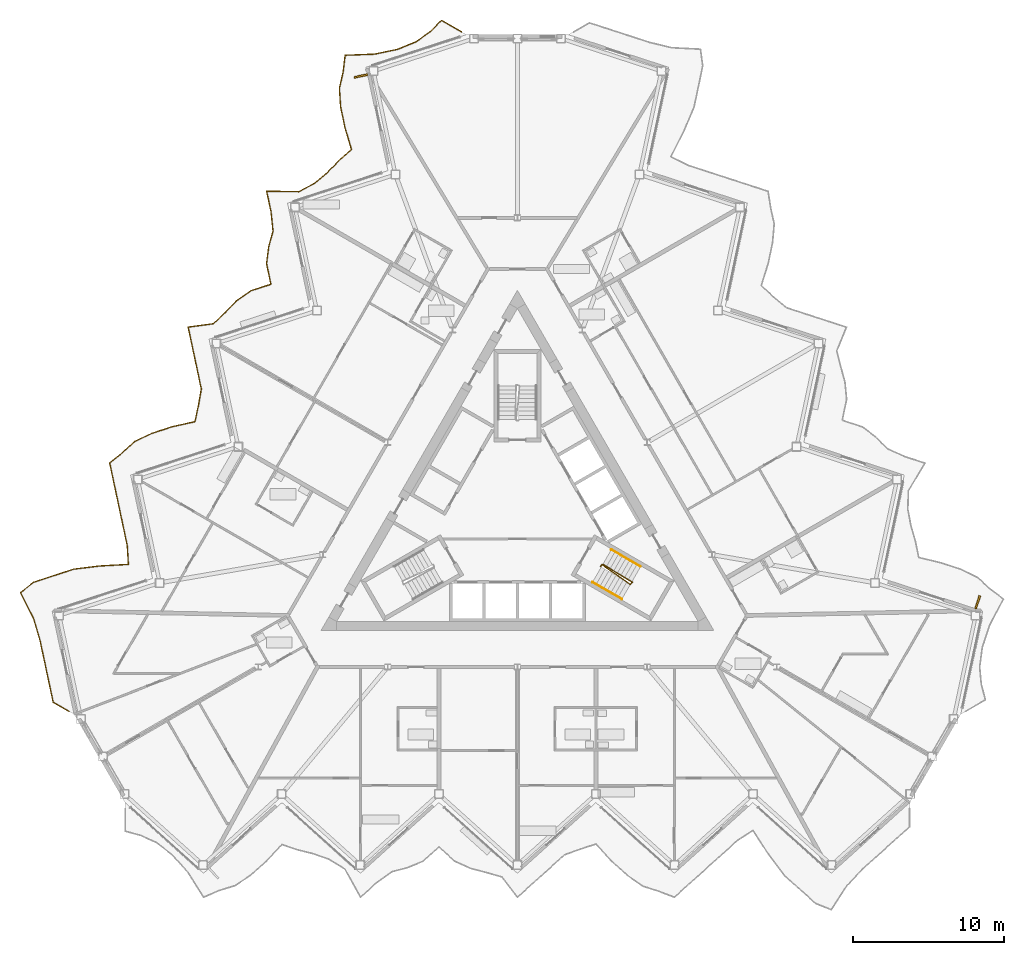
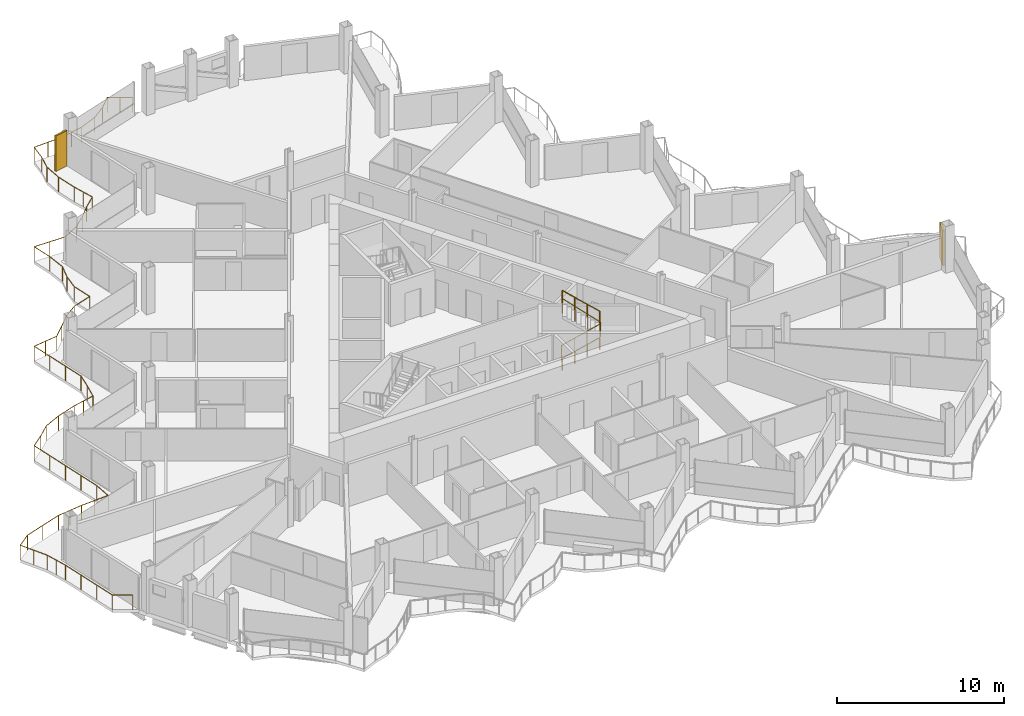
# One storey, part 24 of 27: 4 railings, 2 shading devices.
"""IFC4 building model written with IfcOpenShell, lengths in metres."""

from ifc_helpers import new_model, si_unit, direction, frame, origin, origin_2d, place, context, subcontext, project, spatial, rectangle, circle, extrude, material, layer, layer_set, type_object, element, save


model = new_model("IFC4")

# Units and contexts
model_context = context("Model", 3, precision=1e-05, world=origin(), true_north=direction((0.0, 1.0)))
body_context = subcontext(model_context, "Body", "Model", "MODEL_VIEW")
ifc_project = project(units=[si_unit("LENGTHUNIT", "METRE"), si_unit("AREAUNIT", "SQUARE_METRE"), si_unit("VOLUMEUNIT", "CUBIC_METRE"), si_unit("PLANEANGLEUNIT", "RADIAN"), si_unit("MASSUNIT", "GRAM", prefix="KILO")], contexts=[model_context])

# Site, building, storey
site_placement = place(None, origin())
site = spatial("IfcSite", under=ifc_project, at=site_placement, CompositionType="ELEMENT")
building_placement = place(site_placement, origin())
building = spatial("IfcBuilding", under=site, at=building_placement, Name="Cormorant Prow Tower", CompositionType="ELEMENT")
storey_placement = place(building_placement, frame((0.0, 0.0, 315.39990234375)))
storey = spatial("IfcBuildingStorey", under=building, at=storey_placement, Name="L69", CompositionType="ELEMENT", Elevation=315.39990234375)

# Railings
ifc_material_1 = material(Name="Aluminium 6063-T6", Category="aluminium")
railing_type_1 = type_object("IfcRailingType", Name="Balcony guard 1100", PredefinedType="GUARDRAIL", material=ifc_material_1)
railing_1_placement = place(storey_placement, frame((-3.703369140625, 32.118896484375, 0.0)))
element("IfcRailing", 1, at=railing_1_placement, inside=storey, type_object=railing_type_1, Name="Balcony guard WNW", PredefinedType="GUARDRAIL", context=body_context, shape_type="SweptSolid", body=[
    extrude(circle(Radius=0.02392578125, at=origin_2d()), frame((0.0, 0.0, 1.076171875), z_axis=(-0.865990296034, 0.500060803479, 0.0), x_axis=(-0.500060803479, -0.865990296034, 0.0)), (0.0, 0.0, 1.0), 1.519775390625),
    extrude(circle(Radius=0.02392578125, at=origin_2d()), frame((-1.316162109375, 0.760009765625, 1.076171875), z_axis=(-0.710162172845, -0.704038129834, 0.0), x_axis=(0.704038129834, -0.710162172845, 0.0)), (0.0, 0.0, 1.0), 1.076416015625),
    extrude(circle(Radius=0.02392578125, at=origin_2d()), frame((-2.08056640625, 0.002197265625, 1.076171875), z_axis=(-0.81465682951, -0.579943316311, 0.0), x_axis=(0.579943316311, -0.81465682951, 0.0)), (0.0, 0.0, 1.0), 1.14208984375),
    extrude(circle(Radius=0.02392578125, at=origin_2d()), frame((-3.010986328125, -0.66015625, 1.076171875), z_axis=(-0.92494386987, -0.380103719516, 0.0), x_axis=(0.380103719516, -0.92494386987, 0.0)), (0.0, 0.0, 1.0), 1.3115234375),
    extrude(circle(Radius=0.02392578125, at=origin_2d()), frame((-4.22412109375, -1.15869140625, 1.076171875), z_axis=(-0.9793543677, -0.202150989281, 0.0), x_axis=(0.202150989281, -0.9793543677, 0.0)), (0.0, 0.0, 1.0), 1.562744140625),
    extrude(circle(Radius=0.02392578125, at=origin_2d()), frame((-5.754638671875, -1.474609375, 1.076171875), z_axis=(-0.999265055246, -0.038332093131, 0.0), x_axis=(0.038332093131, -0.999265055246, 0.0)), (0.0, 0.0, 1.0), 1.948974609375),
    extrude(circle(Radius=0.02392578125, at=origin_2d()), frame((-7.7021484375, -1.54931640625, 1.076171875), z_axis=(-0.117041712082, -0.99312699975, 0.0), x_axis=(0.99312699975, -0.117041712082, 0.0)), (0.0, 0.0, 1.0), 1.130615234375),
    extrude(circle(Radius=0.02392578125, at=origin_2d()), frame((-7.83447265625, -2.672119140625, 1.076171875), z_axis=(-0.224301380547, -0.974519825701, 0.0), x_axis=(0.974519825701, -0.224301380547, 0.0)), (0.0, 0.0, 1.0), 1.086181640625),
    extrude(circle(Radius=0.02392578125, at=origin_2d()), frame((-8.078125, -3.730712890625, 1.076171875), z_axis=(0.063036409454, -0.998011227934, 0.0), x_axis=(0.998011227934, 0.063036409454, 0.0)), (0.0, 0.0, 1.0), 1.2470703125),
    extrude(circle(Radius=0.02392578125, at=origin_2d()), frame((-7.99951171875, -4.975341796875, 1.076171875), z_axis=(0.20789427571, -0.978151302267, 0.0), x_axis=(0.978151302267, 0.20789427571, 0.0)), (0.0, 0.0, 1.0), 1.3974609375),
    extrude(circle(Radius=0.02392578125, at=origin_2d()), frame((-7.708984375, -6.34228515625, 1.076171875), z_axis=(0.283244586223, -0.959047707038, 0.0), x_axis=(0.959047707038, 0.283244586223, 0.0)), (0.0, 0.0, 1.0), 1.507568359375),
    extrude(circle(Radius=0.02392578125, at=origin_2d()), frame((-7.281982421875, -7.7880859375, 1.076171875), z_axis=(-0.748932723134, -0.662646041427, 0.0), x_axis=(0.662646041427, -0.748932723134, 0.0)), (0.0, 0.0, 1.0), 1.094970703125),
    extrude(circle(Radius=0.02392578125, at=origin_2d()), frame((-8.10205078125, -8.513671875, 1.076171875), z_axis=(-0.693983566314, -0.719990840002, 0.0), x_axis=(0.719990840002, -0.693983566314, 0.0)), (0.0, 0.0, 1.0), 1.070068359375),
    extrude(circle(Radius=0.02392578125, at=origin_2d()), frame((-8.8447265625, -9.2841796875, 1.076171875), z_axis=(-0.760131936897, -0.64976875772, 0.0), x_axis=(0.64976875772, -0.760131936897, 0.0)), (0.0, 0.0, 1.0), 1.1015625),
    extrude(circle(Radius=0.02392578125, at=origin_2d()), frame((-9.68212890625, -10.0, 1.076171875), z_axis=(-0.881188692955, -0.472764727331, 0.0), x_axis=(0.472764727331, -0.881188692955, 0.0)), (0.0, 0.0, 1.0), 1.221923828125),
    extrude(circle(Radius=0.02392578125, at=origin_2d()), frame((-10.7587890625, -10.57763671875, 1.076171875), z_axis=(-0.999873845917, 0.015883710238, 0.0), x_axis=(-0.015883710238, -0.999873845917, 0.0)), (0.0, 0.0, 1.0), 2.136474609375),
    extrude(circle(Radius=0.02392578125, at=origin_2d()), frame((-12.89501953125, -10.543701171875, 1.076171875), z_axis=(0.208061417088, -0.978115763455, 0.0), x_axis=(0.978115763455, 0.208061417088, 0.0)), (0.0, 0.0, 1.0), 1.3974609375),
    extrude(circle(Radius=0.02392578125, at=origin_2d()), frame((-12.604248046875, -11.91064453125, 1.076171875), z_axis=(0.103872698517, -0.99459060045, 0.0), x_axis=(0.99459060045, 0.103872698517, 0.0)), (0.0, 0.0, 1.0), 1.283203125),
    extrude(circle(Radius=0.02392578125, at=origin_2d()), frame((-12.470947265625, -13.18701171875, 1.076171875), z_axis=(-0.267197772915, -0.963641712541, 0.0), x_axis=(0.963641712541, -0.267197772915, 0.0)), (0.0, 0.0, 1.0), 1.07275390625),
    extrude(circle(Radius=0.02392578125, at=origin_2d()), frame((-12.757568359375, -14.220703125, 1.076171875), z_axis=(-0.128253646975, -0.991741398772, 0.0), x_axis=(0.991741398772, -0.128253646975, 0.0)), (0.0, 0.0, 1.0), 1.125),
    extrude(circle(Radius=0.02392578125, at=origin_2d()), frame((-12.90185546875, -15.33642578125, 1.076171875), z_axis=(0.20785875582, -0.978158850918, 0.0), x_axis=(0.978158850918, 0.20785875582, 0.0)), (0.0, 0.0, 1.0), 1.397705078125),
    extrude(circle(Radius=0.02392578125, at=origin_2d()), frame((-12.611328125, -16.70361328125, 1.076171875), z_axis=(-0.951049473261, -0.309038669765, 0.0), x_axis=(0.309038669765, -0.951049473261, 0.0)), (0.0, 0.0, 1.0), 1.3974609375),
    extrude(circle(Radius=0.02392578125, at=origin_2d()), frame((-13.9404296875, -17.135498046875, 1.076171875), z_axis=(-0.815520159439, -0.578728666604, 0.0), x_axis=(0.578728666604, -0.815520159439, 0.0)), (0.0, 0.0, 1.0), 1.142333984375),
    extrude(circle(Radius=0.02392578125, at=origin_2d()), frame((-14.8720703125, -17.796630859375, 1.076171875), z_axis=(-0.704259482278, -0.709942660799, 0.0), x_axis=(0.709942660799, -0.704259482278, 0.0)), (0.0, 0.0, 1.0), 1.073974609375),
    extrude(circle(Radius=0.02392578125, at=origin_2d()), frame((-15.62841796875, -18.55908203125, 1.076171875), z_axis=(-0.717321359656, -0.696742468191, 0.0), x_axis=(0.696742468191, -0.717321359656, 0.0)), (0.0, 0.0, 1.0), 1.07958984375),
    extrude(circle(Radius=0.02392578125, at=origin_2d()), frame((-16.40283203125, -19.311279296875, 1.076171875), z_axis=(-0.991079275341, -0.133273665775, 0.0), x_axis=(0.133273665775, -0.991079275341, 0.0)), (0.0, 0.0, 1.0), 1.699951171875),
    extrude(circle(Radius=0.02392578125, at=origin_2d()), frame((-18.087646484375, -19.537841796875, 1.076171875), z_axis=(0.20789427571, -0.978151302267, 0.0), x_axis=(0.978151302267, 0.20789427571, 0.0)), (0.0, 0.0, 1.0), 1.3974609375),
    extrude(circle(Radius=0.02392578125, at=origin_2d()), frame((-17.797119140625, -20.90478515625, 1.076171875), z_axis=(0.20789427571, -0.978151302267, 0.0), x_axis=(0.978151302267, 0.20789427571, 0.0)), (0.0, 0.0, 1.0), 1.3974609375),
    extrude(circle(Radius=0.02392578125, at=origin_2d()), frame((-17.506591796875, -22.271728515625, 1.076171875), z_axis=(0.20785875582, -0.978158850918, 0.0), x_axis=(0.978158850918, 0.20785875582, 0.0)), (0.0, 0.0, 1.0), 1.397705078125),
    extrude(circle(Radius=0.02392578125, at=origin_2d()), frame((-17.216064453125, -23.638916015625, 1.076171875), z_axis=(-0.17388616838, -0.984765759176, 0.0), x_axis=(0.984765759176, -0.17388616838, 0.0)), (0.0, 0.0, 1.0), 1.10498046875),
    extrude(circle(Radius=0.02392578125, at=origin_2d()), frame((-17.408203125, -24.72705078125, 1.076171875), z_axis=(-0.210079095134, -0.977684393753, 0.0), x_axis=(0.977684393753, -0.210079095134, 0.0)), (0.0, 0.0, 1.0), 1.09130859375),
    extrude(circle(Radius=0.02392578125, at=origin_2d()), frame((-17.637451171875, -25.7939453125, 1.076171875), z_axis=(-0.975723893204, -0.219004301854, 0.0), x_axis=(0.219004301854, -0.975723893204, 0.0)), (0.0, 0.0, 1.0), 1.53271484375),
    extrude(circle(Radius=0.02392578125, at=origin_2d()), frame((-19.133056640625, -26.129638671875, 1.076171875), z_axis=(-0.951066153506, -0.308987332516, 0.0), x_axis=(0.308987332516, -0.951066153506, 0.0)), (0.0, 0.0, 1.0), 1.397705078125),
    extrude(circle(Radius=0.02392578125, at=origin_2d()), frame((-20.46240234375, -26.5615234375, 1.076171875), z_axis=(-0.906232340919, -0.422780018771, 0.0), x_axis=(0.422780018771, -0.906232340919, 0.0)), (0.0, 0.0, 1.0), 1.267578125),
    extrude(circle(Radius=0.02392578125, at=origin_2d()), frame((-21.611083984375, -27.097412109375, 1.076171875), z_axis=(-0.738529151051, -0.674221545968, 0.0), x_axis=(0.674221545968, -0.738529151051, 0.0)), (0.0, 0.0, 1.0), 1.089599609375),
    extrude(circle(Radius=0.02392578125, at=origin_2d()), frame((-22.415771484375, -27.83203125, 1.076171875), z_axis=(-0.777280642289, -0.629154037675, 0.0), x_axis=(0.629154037675, -0.777280642289, 0.0)), (0.0, 0.0, 1.0), 1.112548828125),
    extrude(circle(Radius=0.02392578125, at=origin_2d()), frame((-23.280517578125, -28.531982421875, 1.076171875), z_axis=(0.20789427571, -0.978151302267, 0.0), x_axis=(0.978151302267, 0.20789427571, 0.0)), (0.0, 0.0, 1.0), 1.3974609375),
    extrude(circle(Radius=0.02392578125, at=origin_2d()), frame((-22.989990234375, -29.89892578125, 1.076171875), z_axis=(0.20785875582, -0.978158850918, 0.0), x_axis=(0.978158850918, 0.20785875582, 0.0)), (0.0, 0.0, 1.0), 1.397705078125),
    extrude(circle(Radius=0.02392578125, at=origin_2d()), frame((-22.699462890625, -31.26611328125, 1.076171875), z_axis=(0.20789427571, -0.978151302267, 0.0), x_axis=(0.978151302267, 0.20789427571, 0.0)), (0.0, 0.0, 1.0), 1.3974609375),
    extrude(circle(Radius=0.02392578125, at=origin_2d()), frame((-22.408935546875, -32.633056640625, 1.076171875), z_axis=(0.20789427571, -0.978151302267, 0.0), x_axis=(0.978151302267, 0.20789427571, 0.0)), (0.0, 0.0, 1.0), 1.3974609375),
    extrude(circle(Radius=0.02392578125, at=origin_2d()), frame((-22.118408203125, -34.0, 1.076171875), z_axis=(0.05871051141, -0.998275050199, 0.0), x_axis=(0.998275050199, 0.05871051141, 0.0)), (0.0, 0.0, 1.0), 1.243408203125),
    extrude(circle(Radius=0.02392578125, at=origin_2d()), frame((-22.04541015625, -35.2412109375, 1.076171875), z_axis=(-0.998546382965, -0.053899175022, 0.0), x_axis=(0.053899175022, -0.998546382965, 0.0)), (0.0, 0.0, 1.0), 1.90234375),
    extrude(circle(Radius=0.02392578125, at=origin_2d()), frame((-23.945068359375, -35.34375, 1.076171875), z_axis=(-0.992408117308, -0.122988327502, 0.0), x_axis=(0.122988327502, -0.992408117308, 0.0)), (0.0, 0.0, 1.0), 1.72314453125),
    extrude(circle(Radius=0.02392578125, at=origin_2d()), frame((-25.655029296875, -35.5556640625, 1.076171875), z_axis=(-0.951049473261, -0.309038669765, 0.0), x_axis=(0.309038669765, -0.951049473261, 0.0)), (0.0, 0.0, 1.0), 1.3974609375),
    extrude(circle(Radius=0.02392578125, at=origin_2d()), frame((-26.984130859375, -35.987548828125, 1.076171875), z_axis=(-0.949678219118, -0.313227202095, 0.0), x_axis=(0.313227202095, -0.949678219118, 0.0)), (0.0, 0.0, 1.0), 1.39208984375),
    extrude(circle(Radius=0.02392578125, at=origin_2d()), frame((-28.30615234375, -36.423583984375, 1.076171875), z_axis=(-0.789129327952, -0.61422707834, 0.0), x_axis=(0.61422707834, -0.789129327952, 0.0)), (0.0, 0.0, 1.0), 1.120849609375),
    extrude(circle(Radius=0.02392578125, at=origin_2d()), frame((-29.190673828125, -37.112060546875, 1.076171875), z_axis=(0.455016499701, -0.890483006576, 0.0), x_axis=(0.890483006576, 0.455016499701, 0.0)), (0.0, 0.0, 1.0), 1.91064453125),
    extrude(circle(Radius=0.02392578125, at=origin_2d()), frame((-28.3212890625, -38.8134765625, 1.076171875), z_axis=(0.284259088615, -0.95874750093, 0.0), x_axis=(0.95874750093, 0.284259088615, 0.0)), (0.0, 0.0, 1.0), 1.509033203125),
    extrude(circle(Radius=0.02392578125, at=origin_2d()), frame((-27.892333984375, -40.26025390625, 1.076171875), z_axis=(0.208061417088, -0.978115763455, 0.0), x_axis=(0.978115763455, 0.208061417088, 0.0)), (0.0, 0.0, 1.0), 1.3974609375),
    extrude(circle(Radius=0.02392578125, at=origin_2d()), frame((-27.6015625, -41.627197265625, 1.076171875), z_axis=(0.20789427571, -0.978151302267, 0.0), x_axis=(0.978151302267, 0.20789427571, 0.0)), (0.0, 0.0, 1.0), 1.3974609375),
    extrude(circle(Radius=0.02392578125, at=origin_2d()), frame((-27.31103515625, -42.994140625, 1.076171875), z_axis=(0.20789427571, -0.978151302267, 0.0), x_axis=(0.978151302267, 0.20789427571, 0.0)), (0.0, 0.0, 1.0), 1.3974609375),
    extrude(circle(Radius=0.02392578125, at=origin_2d()), frame((-27.0205078125, -44.361083984375, 1.076171875), z_axis=(0.865955602162, -0.500120880472, 0.0), x_axis=(0.500120880472, 0.865955602162, 0.0)), (0.0, 0.0, 1.0), 1.219970703125),
    extrude(circle(Radius=0.02099609375, at=origin_2d()), origin(), (0.0, 0.0, 1.0), 1.052001953125),
    extrude(circle(Radius=0.02099609375, at=origin_2d()), frame((-0.658203125, 0.3798828125, 0.0)), (0.0, 0.0, 1.0), 1.052001953125),
    extrude(circle(Radius=0.02099609375, at=origin_2d()), frame((-1.316162109375, 0.760009765625, 0.0)), (0.0, 0.0, 1.0), 1.052001953125),
    extrude(circle(Radius=0.02099609375, at=origin_2d()), frame((-2.08056640625, 0.002197265625, 0.0)), (0.0, 0.0, 1.0), 1.052001953125),
    extrude(circle(Radius=0.02099609375, at=origin_2d()), frame((-3.010986328125, -0.66015625, 0.0)), (0.0, 0.0, 1.0), 1.052001953125),
    extrude(circle(Radius=0.02099609375, at=origin_2d()), frame((-4.22412109375, -1.15869140625, 0.0)), (0.0, 0.0, 1.0), 1.052001953125),
    extrude(circle(Radius=0.02099609375, at=origin_2d()), frame((-4.9892578125, -1.316650390625, 0.0)), (0.0, 0.0, 1.0), 1.052001953125),
    extrude(circle(Radius=0.02099609375, at=origin_2d()), frame((-5.754638671875, -1.474609375, 0.0)), (0.0, 0.0, 1.0), 1.052001953125),
    extrude(circle(Radius=0.02099609375, at=origin_2d()), frame((-6.728515625, -1.511962890625, 0.0)), (0.0, 0.0, 1.0), 1.052001953125),
    extrude(circle(Radius=0.02099609375, at=origin_2d()), frame((-7.7021484375, -1.54931640625, 0.0)), (0.0, 0.0, 1.0), 1.052001953125),
    extrude(circle(Radius=0.02099609375, at=origin_2d()), frame((-7.83447265625, -2.672119140625, 0.0)), (0.0, 0.0, 1.0), 1.052001953125),
    extrude(circle(Radius=0.02099609375, at=origin_2d()), frame((-8.078125, -3.730712890625, 0.0)), (0.0, 0.0, 1.0), 1.052001953125),
    extrude(circle(Radius=0.02099609375, at=origin_2d()), frame((-7.99951171875, -4.975341796875, 0.0)), (0.0, 0.0, 1.0), 1.052001953125),
    extrude(circle(Radius=0.02099609375, at=origin_2d()), frame((-7.708984375, -6.34228515625, 0.0)), (0.0, 0.0, 1.0), 1.052001953125),
    extrude(circle(Radius=0.02099609375, at=origin_2d()), frame((-7.49560546875, -7.065185546875, 0.0)), (0.0, 0.0, 1.0), 1.052001953125),
    extrude(circle(Radius=0.02099609375, at=origin_2d()), frame((-7.281982421875, -7.7880859375, 0.0)), (0.0, 0.0, 1.0), 1.052001953125),
    extrude(circle(Radius=0.02099609375, at=origin_2d()), frame((-8.10205078125, -8.513671875, 0.0)), (0.0, 0.0, 1.0), 1.052001953125),
    extrude(circle(Radius=0.02099609375, at=origin_2d()), frame((-8.8447265625, -9.2841796875, 0.0)), (0.0, 0.0, 1.0), 1.052001953125),
    extrude(circle(Radius=0.02099609375, at=origin_2d()), frame((-9.68212890625, -10.0, 0.0)), (0.0, 0.0, 1.0), 1.052001953125),
    extrude(circle(Radius=0.02099609375, at=origin_2d()), frame((-10.7587890625, -10.57763671875, 0.0)), (0.0, 0.0, 1.0), 1.052001953125),
    extrude(circle(Radius=0.02099609375, at=origin_2d()), frame((-11.826904296875, -10.560546875, 0.0)), (0.0, 0.0, 1.0), 1.052001953125),
    extrude(circle(Radius=0.02099609375, at=origin_2d()), frame((-12.89501953125, -10.543701171875, 0.0)), (0.0, 0.0, 1.0), 1.052001953125),
    extrude(circle(Radius=0.02099609375, at=origin_2d()), frame((-12.604248046875, -11.91064453125, 0.0)), (0.0, 0.0, 1.0), 1.052001953125),
    extrude(circle(Radius=0.02099609375, at=origin_2d()), frame((-12.470947265625, -13.18701171875, 0.0)), (0.0, 0.0, 1.0), 1.052001953125),
    extrude(circle(Radius=0.02099609375, at=origin_2d()), frame((-12.757568359375, -14.220703125, 0.0)), (0.0, 0.0, 1.0), 1.052001953125),
    extrude(circle(Radius=0.02099609375, at=origin_2d()), frame((-12.90185546875, -15.33642578125, 0.0)), (0.0, 0.0, 1.0), 1.052001953125),
    extrude(circle(Radius=0.02099609375, at=origin_2d()), frame((-12.611328125, -16.70361328125, 0.0)), (0.0, 0.0, 1.0), 1.052001953125),
    extrude(circle(Radius=0.02099609375, at=origin_2d()), frame((-13.9404296875, -17.135498046875, 0.0)), (0.0, 0.0, 1.0), 1.052001953125),
    extrude(circle(Radius=0.02099609375, at=origin_2d()), frame((-14.8720703125, -17.796630859375, 0.0)), (0.0, 0.0, 1.0), 1.052001953125),
    extrude(circle(Radius=0.02099609375, at=origin_2d()), frame((-15.62841796875, -18.55908203125, 0.0)), (0.0, 0.0, 1.0), 1.052001953125),
    extrude(circle(Radius=0.02099609375, at=origin_2d()), frame((-16.40283203125, -19.311279296875, 0.0)), (0.0, 0.0, 1.0), 1.052001953125),
    extrude(circle(Radius=0.02099609375, at=origin_2d()), frame((-17.2451171875, -19.424560546875, 0.0)), (0.0, 0.0, 1.0), 1.052001953125),
    extrude(circle(Radius=0.02099609375, at=origin_2d()), frame((-18.087646484375, -19.537841796875, 0.0)), (0.0, 0.0, 1.0), 1.052001953125),
    extrude(circle(Radius=0.02099609375, at=origin_2d()), frame((-17.797119140625, -20.90478515625, 0.0)), (0.0, 0.0, 1.0), 1.052001953125),
    extrude(circle(Radius=0.02099609375, at=origin_2d()), frame((-17.506591796875, -22.271728515625, 0.0)), (0.0, 0.0, 1.0), 1.052001953125),
    extrude(circle(Radius=0.02099609375, at=origin_2d()), frame((-17.216064453125, -23.638916015625, 0.0)), (0.0, 0.0, 1.0), 1.052001953125),
    extrude(circle(Radius=0.02099609375, at=origin_2d()), frame((-17.408203125, -24.72705078125, 0.0)), (0.0, 0.0, 1.0), 1.052001953125),
    extrude(circle(Radius=0.02099609375, at=origin_2d()), frame((-17.637451171875, -25.7939453125, 0.0)), (0.0, 0.0, 1.0), 1.052001953125),
    extrude(circle(Radius=0.02099609375, at=origin_2d()), frame((-18.38525390625, -25.9619140625, 0.0)), (0.0, 0.0, 1.0), 1.052001953125),
    extrude(circle(Radius=0.02099609375, at=origin_2d()), frame((-19.133056640625, -26.129638671875, 0.0)), (0.0, 0.0, 1.0), 1.052001953125),
    extrude(circle(Radius=0.02099609375, at=origin_2d()), frame((-20.46240234375, -26.5615234375, 0.0)), (0.0, 0.0, 1.0), 1.052001953125),
    extrude(circle(Radius=0.02099609375, at=origin_2d()), frame((-21.611083984375, -27.097412109375, 0.0)), (0.0, 0.0, 1.0), 1.052001953125),
    extrude(circle(Radius=0.02099609375, at=origin_2d()), frame((-22.415771484375, -27.83203125, 0.0)), (0.0, 0.0, 1.0), 1.052001953125),
    extrude(circle(Radius=0.02099609375, at=origin_2d()), frame((-23.280517578125, -28.531982421875, 0.0)), (0.0, 0.0, 1.0), 1.052001953125),
    extrude(circle(Radius=0.02099609375, at=origin_2d()), frame((-22.989990234375, -29.89892578125, 0.0)), (0.0, 0.0, 1.0), 1.052001953125),
    extrude(circle(Radius=0.02099609375, at=origin_2d()), frame((-22.699462890625, -31.26611328125, 0.0)), (0.0, 0.0, 1.0), 1.052001953125),
    extrude(circle(Radius=0.02099609375, at=origin_2d()), frame((-22.408935546875, -32.633056640625, 0.0)), (0.0, 0.0, 1.0), 1.052001953125),
    extrude(circle(Radius=0.02099609375, at=origin_2d()), frame((-22.118408203125, -34.0, 0.0)), (0.0, 0.0, 1.0), 1.052001953125),
    extrude(circle(Radius=0.02099609375, at=origin_2d()), frame((-22.04541015625, -35.2412109375, 0.0)), (0.0, 0.0, 1.0), 1.052001953125),
    extrude(circle(Radius=0.02099609375, at=origin_2d()), frame((-22.9951171875, -35.29248046875, 0.0)), (0.0, 0.0, 1.0), 1.052001953125),
    extrude(circle(Radius=0.02099609375, at=origin_2d()), frame((-23.945068359375, -35.34375, 0.0)), (0.0, 0.0, 1.0), 1.052001953125),
    extrude(circle(Radius=0.02099609375, at=origin_2d()), frame((-24.800048828125, -35.44970703125, 0.0)), (0.0, 0.0, 1.0), 1.052001953125),
    extrude(circle(Radius=0.02099609375, at=origin_2d()), frame((-25.655029296875, -35.5556640625, 0.0)), (0.0, 0.0, 1.0), 1.052001953125),
    extrude(circle(Radius=0.02099609375, at=origin_2d()), frame((-26.984130859375, -35.987548828125, 0.0)), (0.0, 0.0, 1.0), 1.052001953125),
    extrude(circle(Radius=0.02099609375, at=origin_2d()), frame((-28.30615234375, -36.423583984375, 0.0)), (0.0, 0.0, 1.0), 1.052001953125),
    extrude(circle(Radius=0.02099609375, at=origin_2d()), frame((-29.190673828125, -37.112060546875, 0.0)), (0.0, 0.0, 1.0), 1.052001953125),
    extrude(circle(Radius=0.02099609375, at=origin_2d()), frame((-28.755859375, -37.962890625, 0.0)), (0.0, 0.0, 1.0), 1.052001953125),
    extrude(circle(Radius=0.02099609375, at=origin_2d()), frame((-28.3212890625, -38.8134765625, 0.0)), (0.0, 0.0, 1.0), 1.052001953125),
    extrude(circle(Radius=0.02099609375, at=origin_2d()), frame((-28.10693359375, -39.536865234375, 0.0)), (0.0, 0.0, 1.0), 1.052001953125),
    extrude(circle(Radius=0.02099609375, at=origin_2d()), frame((-27.892333984375, -40.26025390625, 0.0)), (0.0, 0.0, 1.0), 1.052001953125),
    extrude(circle(Radius=0.02099609375, at=origin_2d()), frame((-27.6015625, -41.627197265625, 0.0)), (0.0, 0.0, 1.0), 1.052001953125),
    extrude(circle(Radius=0.02099609375, at=origin_2d()), frame((-27.31103515625, -42.994140625, 0.0)), (0.0, 0.0, 1.0), 1.052001953125),
    extrude(circle(Radius=0.02099609375, at=origin_2d()), frame((-27.0205078125, -44.361083984375, 0.0)), (0.0, 0.0, 1.0), 1.052001953125),
    extrude(circle(Radius=0.02099609375, at=origin_2d()), frame((-25.964111328125, -44.97119140625, 0.0)), (0.0, 0.0, 1.0), 1.052001953125),
])
ifc_material_2 = material(Name="Stainless steel", Category="steel")
railing_type_2 = type_object("IfcRailingType", Name="Stair guard 1100", PredefinedType="GUARDRAIL", material=ifc_material_2)
railing_2_placement = place(storey_placement, frame((5.510009765625, -3.267822265625, 0.0)))
element("IfcRailing", 2, at=railing_2_placement, inside=storey, type_object=railing_type_2, Name="L69 ST2 stair guard 1", PredefinedType="GUARDRAIL", context=body_context, shape_type="SweptSolid", body=[
    extrude(circle(Radius=0.02392578125, at=origin_2d()), frame((0.0, 0.0, 1.076171875), z_axis=(0.501036270542, 0.865426285481, 0.0), x_axis=(-0.865426285481, 0.501036270542, 0.0)), (0.0, 0.0, 1.0), 0.150146484375),
    extrude(circle(Radius=0.02392578125, at=origin_2d()), frame((0.0751953125, 0.1298828125, 1.076171875), z_axis=(0.658637147058, -0.461037463629, 0.594677698965), x_axis=(0.573455215813, 0.819236910458, 0.0)), (0.0, 0.0, 1.0), 2.859130859375),
    extrude(circle(Radius=0.02392578125, at=origin_2d()), frame((1.958251953125, -1.188232421875, 2.7763671875), z_axis=(0.695164929852, 0.718850276695, 0.0), x_axis=(-0.718850276695, 0.695164929852, 0.0)), (0.0, 0.0, 1.0), 0.2060546875),
    extrude(circle(Radius=0.02392578125, at=origin_2d()), frame((2.1015625, -1.0400390625, 2.7763671875), z_axis=(-0.686515364547, 0.416565300991, 0.595961411712), x_axis=(-0.518752825935, -0.854924268918, 0.0)), (0.0, 0.0, 1.0), 2.8525390625),
    extrude(circle(Radius=0.02099609375, at=origin_2d()), origin(), (0.0, 0.0, 1.0), 1.052001953125),
    extrude(circle(Radius=0.02099609375, at=origin_2d()), frame((0.0751953125, 0.1298828125, 0.0)), (0.0, 0.0, 1.0), 1.052001953125),
    extrude(circle(Radius=0.02099609375, at=origin_2d()), frame((0.702880859375, -0.3095703125, 0.566650390625)), (0.0, 0.0, 1.0), 1.052001953125),
    extrude(circle(Radius=0.02099609375, at=origin_2d()), frame((1.33056640625, -0.748779296875, 1.133544921875)), (0.0, 0.0, 1.0), 1.052001953125),
    extrude(circle(Radius=0.02099609375, at=origin_2d()), frame((1.958251953125, -1.188232421875, 1.7001953125)), (0.0, 0.0, 1.0), 1.052001953125),
    extrude(circle(Radius=0.02099609375, at=origin_2d()), frame((2.1015625, -1.0400390625, 1.7001953125)), (0.0, 0.0, 1.0), 1.052001953125),
    extrude(circle(Radius=0.02099609375, at=origin_2d()), frame((1.44873046875, -0.64404296875, 2.266845703125)), (0.0, 0.0, 1.0), 1.052001953125),
    extrude(circle(Radius=0.02099609375, at=origin_2d()), frame((0.796142578125, -0.247802734375, 2.83349609375)), (0.0, 0.0, 1.0), 1.052001953125),
    extrude(circle(Radius=0.02099609375, at=origin_2d()), frame((0.143310546875, 0.148193359375, 3.400146484375)), (0.0, 0.0, 1.0), 1.052001953125),
])
ifc_material_3 = material(Name="Stainless steel", Category="steel")
railing_type_3 = type_object("IfcRailingType", Name="Stair handrail 900", PredefinedType="HANDRAIL", material=ifc_material_3)
railing_3_placement = place(storey_placement, frame((4.968994140625, -4.30517578125, 0.18896484375)))
element("IfcRailing", 3, at=railing_3_placement, inside=storey, type_object=railing_type_3, Name="L69 ST2 stair handrail 1", PredefinedType="HANDRAIL", context=body_context, shape_type="SweptSolid", body=[
    extrude(circle(Radius=0.02392578125, at=origin_2d()), frame((0.0, 0.0, 0.8759765625), z_axis=(0.717869644322, -0.414548260308, 0.559296802813), x_axis=(0.500077830873, 0.865980463445, 0.0)), (0.0, 0.0, 1.0), 2.701904296875),
    extrude(circle(Radius=0.02099609375, at=origin_2d()), origin(), (0.0, 0.0, 1.0), 0.851806640625),
    extrude(circle(Radius=0.02099609375, at=origin_2d()), frame((0.646484375, -0.373291015625, 0.503662109375)), (0.0, 0.0, 1.0), 0.851806640625),
    extrude(circle(Radius=0.02099609375, at=origin_2d()), frame((1.293212890625, -0.746826171875, 1.007568359375)), (0.0, 0.0, 1.0), 0.851806640625),
    extrude(circle(Radius=0.02099609375, at=origin_2d()), frame((1.939697265625, -1.1201171875, 1.51123046875)), (0.0, 0.0, 1.0), 0.851806640625),
])
railing_4_placement = place(storey_placement, frame((8.15283203125, -3.2705078125, 1.888916015625)))
element("IfcRailing", 4, at=railing_4_placement, inside=storey, type_object=railing_type_3, Name="L69 ST2 stair handrail 2", PredefinedType="HANDRAIL", context=body_context, shape_type="SweptSolid", body=[
    extrude(circle(Radius=0.02392578125, at=origin_2d()), frame((0.0, 0.0, 0.8759765625), z_axis=(-0.717940317343, 0.414446543626, 0.55928147047), x_axis=(-0.49994888933, -0.866054910533, 0.0)), (0.0, 0.0, 1.0), 2.7021484375),
    extrude(circle(Radius=0.02099609375, at=origin_2d()), origin(), (0.0, 0.0, 1.0), 0.851806640625),
    extrude(circle(Radius=0.02099609375, at=origin_2d()), frame((-0.646728515625, 0.373291015625, 0.503662109375)), (0.0, 0.0, 1.0), 0.851806640625),
    extrude(circle(Radius=0.02099609375, at=origin_2d()), frame((-1.293212890625, 0.74658203125, 1.007568359375)), (0.0, 0.0, 1.0), 0.851806640625),
    extrude(circle(Radius=0.02099609375, at=origin_2d()), frame((-1.93994140625, 1.119873046875, 1.51123046875)), (0.0, 0.0, 1.0), 0.851806640625),
])

# Shading devices
ifc_material_4 = material(Name="Terracotta", Category="masonry")
ifc_layer = layer(ifc_material_4, 0.1201171875)
ifc_layer_set = layer_set([ifc_layer], Name="Terracotta")
shading_device_type = type_object("IfcShadingDeviceType", Name="Terracotta baguette fin 120x900x2600", PredefinedType="USERDEFINED", material=ifc_layer_set)
for number, where, z_axis, x_axis, name in (
    (5, (30.46044921875, -5.626708984375, 0.0), (0.0, 0.0, 1.0), (-0.951056532303, 0.309016945109, 0.0), "Baguette fin ENE01"),
    (6, (-10.357177734375, 29.19287109375, 0.0), (0.0, 0.0, 1.0), (0.207911759908, -0.978147586048, 0.0), "Baguette fin WNW01"),
):
    element("IfcShadingDevice", number, at=place(storey_placement, frame(where, z_axis=z_axis, x_axis=x_axis)), inside=storey, type_object=shading_device_type, Name=name, ObjectType="BAGUETTE", PredefinedType="USERDEFINED", context=body_context, shape_type="SweptSolid", body=[
        extrude(rectangle(XDim=0.1201171875, YDim=0.89990234375, at=origin_2d()), origin(), (0.0, 0.0, 1.0), 2.60009765625),
    ])

save(model, "model.ifc")
